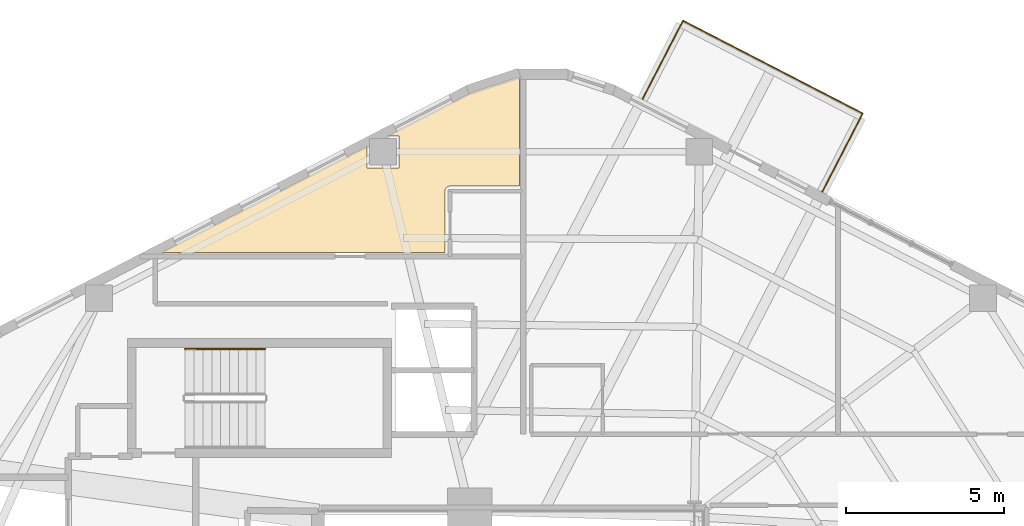
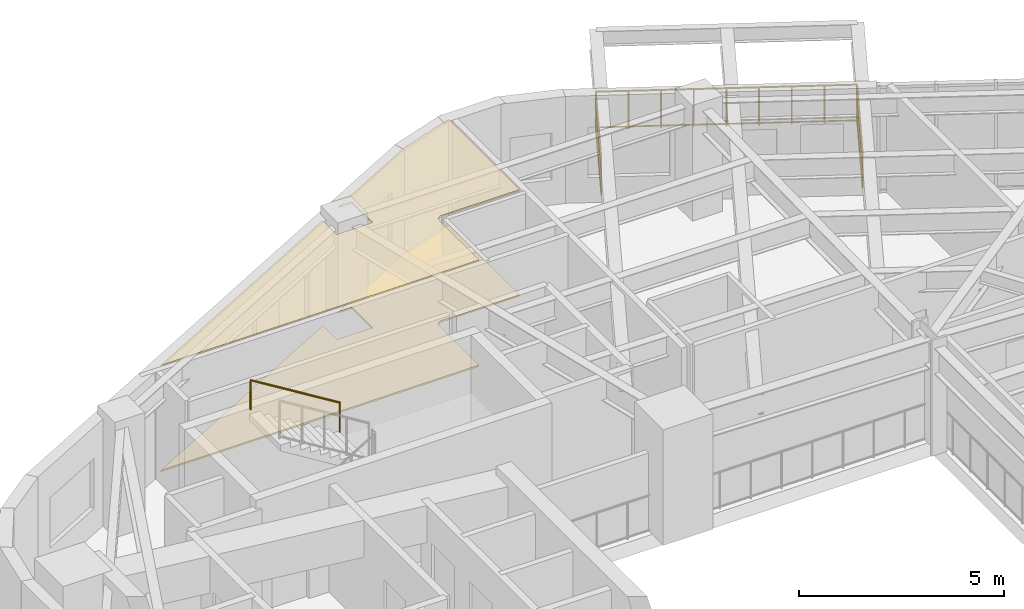
# One storey, part 12 of 12: 2 coverings, 2 railings.
"""IFC4 building model written with IfcOpenShell, lengths in metres."""

import ifcopenshell
import ifcopenshell.guid

model = None  # the IFC model being written
_history = None  # IfcOwnerHistory: only IFC2X3 demands one
_inside = {}  # id of a spatial element -> (the spatial element, [elements in it])
_under = {}  # id of a project, library or spatial element -> (it, [spatial elements below it])
_declared = {}  # id of a project -> (the project, [libraries it declares])
_typed = {}  # id of a type object -> (the type object, [elements of that type])
_made_of = {}  # id of a material, layer set ... -> (it, [elements and type objects made of it])


def new_model(schema):
    """Start an empty IFC model of exactly this schema.

    Asked for "IFC4X3", IfcOpenShell would pick the latest addendum, in which some entities
    have other attributes; the version numbers below select the first issue.
    IFC2X3 requires an IfcOwnerHistory on every rooted entity: one is made here for all.
    """
    global model, _history
    if schema == "IFC4X3":
        model = ifcopenshell.file(schema_version=(4, 3, 0, 0))
    else:
        model = ifcopenshell.file(schema=schema)
    _inside.clear()
    _under.clear()
    _declared.clear()
    _typed.clear()
    _made_of.clear()
    _history = None
    if model.schema == "IFC2X3":
        org = make("IfcOrganization", Name="unknown")
        user = make(
            "IfcPersonAndOrganization",
            ThePerson=make("IfcPerson", FamilyName="unknown"),
            TheOrganization=org,
        )
        app = make(
            "IfcApplication",
            ApplicationDeveloper=org,
            Version="unknown",
            ApplicationFullName="unknown",
            ApplicationIdentifier="unknown",
        )
        _history = make(
            "IfcOwnerHistory",
            OwningUser=user,
            OwningApplication=app,
            ChangeAction="ADDED",
            CreationDate=0,
        )
    return model


def make(cls, **values):
    """One entity of the class cls with the attributes given. An attribute that is None is left unset."""
    return model.create_entity(
        cls, **{name: value for name, value in values.items() if value is not None}
    )


def rooted(cls, **values):
    """An entity with a GlobalId (a new one), such as an element, a storey or a relation."""
    return make(cls, GlobalId=ifcopenshell.guid.new(), OwnerHistory=_history, **values)


def si_unit(unit_type, name, prefix=None):
    """IfcSIUnit, for example si_unit("LENGTHUNIT", "METRE", prefix="MILLI")."""
    return make("IfcSIUnit", UnitType=unit_type, Prefix=prefix, Name=name)


def assignment(units):
    """IfcUnitAssignment: the units of a project."""
    return None if units is None else make("IfcUnitAssignment", Units=units)


def point(xyz):
    """IfcCartesianPoint."""
    return None if xyz is None else make("IfcCartesianPoint", Coordinates=xyz)


def direction(xyz):
    """IfcDirection."""
    return None if xyz is None else make("IfcDirection", DirectionRatios=xyz)


def frame(location, z_axis=None, x_axis=None):
    """IfcAxis2Placement3D, a coordinate frame: its origin and axes. An axis left out is left unset."""
    return make(
        "IfcAxis2Placement3D",
        Location=point(location),
        Axis=direction(z_axis),
        RefDirection=direction(x_axis),
    )


def frame_2d(location, x_axis=None):
    """IfcAxis2Placement2D, a coordinate frame in the plane: its origin and x axis."""
    return make(
        "IfcAxis2Placement2D", Location=point(location), RefDirection=direction(x_axis)
    )


def origin():
    """The frame at (0, 0, 0) with its axes left unset."""
    return frame((0.0, 0.0, 0.0))


def origin_2d():
    """The frame at (0, 0) in the plane with its x axis left unset."""
    return frame_2d((0.0, 0.0))


def place(relative_to, where):
    """IfcLocalPlacement: puts the frame where relative to a parent placement (None: the world)."""
    return make(
        "IfcLocalPlacement", PlacementRelTo=relative_to, RelativePlacement=where
    )


def context(
    kind, dimensions, precision=None, world=None, true_north=None, identifier=None
):
    """IfcGeometricRepresentationContext, for example the 3D "Model" context."""
    return make(
        "IfcGeometricRepresentationContext",
        ContextIdentifier=identifier,
        ContextType=kind,
        CoordinateSpaceDimension=dimensions,
        Precision=precision,
        WorldCoordinateSystem=world,
        TrueNorth=true_north,
    )


def subcontext(parent, identifier, kind, view, scale=None):
    """IfcGeometricRepresentationSubContext, for example "Body" below "Model"."""
    return make(
        "IfcGeometricRepresentationSubContext",
        ContextIdentifier=identifier,
        ContextType=kind,
        ParentContext=parent,
        TargetScale=scale,
        TargetView=view,
    )


def project(units=None, contexts=None):
    """IfcProject with its units and contexts."""
    return rooted(
        "IfcProject",
        Name="project",
        RepresentationContexts=contexts,
        UnitsInContext=assignment(units),
    )


def spatial(cls, under=None, at=None, **own):
    """A site, building, storey or space (cls), placed at a placement, below another one or the project."""
    s = rooted(cls, ObjectPlacement=at, **own)
    if under is not None:
        _under.setdefault(under.id(), (under, []))[1].append(s)
    return s


def polyline(points):
    """IfcPolyline through the points."""
    return make("IfcPolyline", Points=[point(p) for p in points])


def profile(cls, at=None, kind="AREA", **sizes):
    """A parametric profile (cls). Its sizes go by their IFC names, for example OverallWidth=200.0."""
    return make(cls, ProfileType=kind, Position=at, **sizes)


def circle(**sizes):
    """IfcCircleProfileDef."""
    return profile("IfcCircleProfileDef", **sizes)


def outline(outer, holes=None, kind="AREA"):
    """IfcArbitraryClosedProfileDef: a profile drawn as a closed curve; with holes, ...WithVoids."""
    if holes is None:
        return make("IfcArbitraryClosedProfileDef", ProfileType=kind, OuterCurve=outer)
    return make(
        "IfcArbitraryProfileDefWithVoids",
        ProfileType=kind,
        OuterCurve=outer,
        InnerCurves=holes,
    )


def extrude(swept, where, along, depth):
    """IfcExtrudedAreaSolid: the profile swept, set in the frame where, extruded along a direction by depth."""
    return make(
        "IfcExtrudedAreaSolid",
        SweptArea=swept,
        Position=where,
        ExtrudedDirection=direction(along),
        Depth=depth,
    )


def shape(context_of_items, identifier, shape_type, items):
    """IfcShapeRepresentation: the items that make up one representation, for example the "Body"."""
    return make(
        "IfcShapeRepresentation",
        ContextOfItems=context_of_items,
        RepresentationIdentifier=identifier,
        RepresentationType=shape_type,
        Items=items,
    )


def material(Name=None, Category=None):
    """IfcMaterial."""
    return make("IfcMaterial", Name=Name, Category=Category)


def layer(
    of_material, thickness, ventilated=None, Name=None, Category=None, Priority=None
):
    """IfcMaterialLayer: one layer of a wall or slab, of a material (None: an air gap)."""
    return make(
        "IfcMaterialLayer",
        Material=of_material,
        LayerThickness=thickness,
        IsVentilated=ventilated,
        Name=Name,
        Category=Category,
        Priority=Priority,
    )


def layer_set(layers, Name=None):
    """IfcMaterialLayerSet."""
    return make("IfcMaterialLayerSet", MaterialLayers=layers, LayerSetName=Name)


def made_of(thing, what):
    """Note that an element or type object is made of a material, layer set ...; save() writes the relation."""
    if what is not None:
        _made_of.setdefault(what.id(), (what, []))[1].append(thing)
    return thing


def type_object(cls, material=None, **own):
    """A type object (cls), such as IfcWallType, which elements share."""
    return made_of(rooted(cls, **own), material)


def element(
    cls,
    number,
    at=None,
    inside=None,
    cuts=None,
    type_object=None,
    material=None,
    context=None,
    identifier="Body",
    shape_type=None,
    held_by="IfcProductDefinitionShape",
    body=None,
    shapes=None,
    **own,
):
    """One element of the class cls, such as IfcWall. Its Tag is "e" and its number.

    at: its placement. inside: the storey or other place that contains it. cuts: it is an
    opening in that element (IfcRelVoidsElement). A single representation is given by context,
    identifier, shape_type and body (its items); several are given by shapes. held_by: the class
    of the entity that holds the representations. save() writes the other relations.
    """
    e = rooted(cls, Tag="e%d" % number, ObjectPlacement=at, **own)
    if body is not None:
        shapes = [shape(context, identifier, shape_type, body)]
    if shapes is not None:
        e.Representation = make(held_by, Representations=shapes)
    if inside is not None:
        _inside.setdefault(inside.id(), (inside, []))[1].append(e)
    if cuts is not None:
        rooted(
            "IfcRelVoidsElement", RelatingBuildingElement=cuts, RelatedOpeningElement=e
        )
    if type_object is not None:
        _typed.setdefault(type_object.id(), (type_object, []))[1].append(e)
    return made_of(e, material)


def aggregate(whole, parts):
    """IfcRelAggregates: a whole, such as a stair, and the parts it consists of."""
    return rooted("IfcRelAggregates", RelatingObject=whole, RelatedObjects=parts)


def save(model, path):
    """Write the relations noted so far, then the file.

    IfcRelAggregates (storeys below a building ...), IfcRelContainedInSpatialStructure (elements
    in a storey), IfcRelDefinesByType, IfcRelAssociatesMaterial and IfcRelDeclares: one each for
    every whole, place, type object, material and project.
    """
    for whole, parts in _under.values():
        aggregate(whole, parts)
    for where, things in _inside.values():
        rooted(
            "IfcRelContainedInSpatialStructure",
            RelatedElements=things,
            RelatingStructure=where,
        )
    for kind, things in _typed.values():
        rooted("IfcRelDefinesByType", RelatedObjects=things, RelatingType=kind)
    for what, things in _made_of.values():
        rooted("IfcRelAssociatesMaterial", RelatedObjects=things, RelatingMaterial=what)
    for by, libraries in _declared.values():
        rooted("IfcRelDeclares", RelatingContext=by, RelatedDefinitions=libraries)
    model.write(path)


model = new_model("IFC4")

# Units and contexts
model_context = context("Model", 3, precision=1e-05, world=origin(), true_north=direction((0.0, 1.0)))
body_context = subcontext(model_context, "Body", "Model", "MODEL_VIEW")
ifc_project = project(units=[si_unit("LENGTHUNIT", "METRE"), si_unit("AREAUNIT", "SQUARE_METRE"), si_unit("VOLUMEUNIT", "CUBIC_METRE"), si_unit("PLANEANGLEUNIT", "RADIAN"), si_unit("MASSUNIT", "GRAM", prefix="KILO"), si_unit("THERMODYNAMICTEMPERATUREUNIT", "KELVIN"), si_unit("POWERUNIT", "WATT")], contexts=[model_context])

# Site, building, storey
site_placement = place(None, origin())
site = spatial("IfcSite", under=ifc_project, at=site_placement, CompositionType="ELEMENT")
building_placement = place(site_placement, origin())
building = spatial("IfcBuilding", under=site, at=building_placement, Name="Skarre Station Tower", CompositionType="ELEMENT")
storey_placement = place(building_placement, frame((0.0, 0.0, 163.64990234375)))
storey = spatial("IfcBuildingStorey", under=building, at=storey_placement, Name="L44", CompositionType="ELEMENT", Elevation=163.64990234375)

# Covering
ifc_material_1 = material(Name="Honed Jura Limestone & Calcium-Sulfate Access Tile", Category="masonry")
ifc_layer_1 = layer(ifc_material_1, 0.050048828125, Name="Honed Jura Limestone & Calcium-Sulfate Access Tile")
ifc_layer_set_1 = layer_set([ifc_layer_1], Name="Honed Jura Limestone & Calcium-Sulfate Access Tile")
covering_type_1 = type_object("IfcCoveringType", Name="Honed Limestone & Raised Access Floor Finish 50", PredefinedType="FLOORING", material=ifc_layer_set_1)
covering_1_placement = place(storey_placement, origin())
element("IfcCovering", 1, at=covering_1_placement, inside=storey, type_object=covering_type_1, Name="L44 Limestone Access Flooring 1", PredefinedType="FLOORING", context=body_context, shape_type="SweptSolid", body=[
    extrude(outline(polyline([(33.919921875, 39.800048828125), (33.919921875, 43.24609375), (33.845947265625, 43.24609375), (32.39208984375, 42.76806640625), (29.72705078125, 41.39306640625), (30.10302734375, 41.39306640625), (30.10302734375, 40.383056640625), (29.093017578125, 40.383056640625), (29.093017578125, 41.06591796875), (22.571044921875, 37.699951171875), (31.56005859375, 37.699951171875), (31.56005859375, 39.639892578125), (31.56005859375, 39.64404296875), (31.56005859375, 39.652099609375), (31.56103515625, 39.659912109375), (31.56201171875, 39.6669921875), (31.56396484375, 39.675048828125), (31.56591796875, 39.68310546875), (31.568115234375, 39.68994140625), (31.571044921875, 39.697998046875), (31.573974609375, 39.705078125), (31.576904296875, 39.7119140625), (31.5810546875, 39.718994140625), (31.5849609375, 39.72607421875), (31.589111328125, 39.73193359375), (31.593994140625, 39.738037109375), (31.59912109375, 39.743896484375), (31.60400390625, 39.75), (31.610107421875, 39.756103515625), (31.615966796875, 39.760986328125), (31.6220703125, 39.76611328125), (31.6279296875, 39.77099609375), (31.634033203125, 39.77490234375), (31.64111328125, 39.779052734375), (31.64794921875, 39.782958984375), (31.655029296875, 39.785888671875), (31.662109375, 39.7890625), (31.669921875, 39.7919921875), (31.677001953125, 39.7939453125), (31.68505859375, 39.7958984375), (31.693115234375, 39.798095703125), (31.699951171875, 39.799072265625), (31.7080078125, 39.800048828125), (31.716064453125, 39.800048828125), (31.719970703125, 39.800048828125), (33.919921875, 39.800048828125)])), origin(), (0.0, 0.0, 1.0), 0.050048828125),
])

# Railing
ifc_material_2 = material(Name="Stainless Steel Grade 316L & Laminated Safety Glass", Category="steel")
railing_type_1 = type_object("IfcRailingType", Name="Laminated Glass & Stainless Terrace Guardrail 1150", PredefinedType="BALUSTRADE", material=ifc_material_2)
railing_1_placement = place(storey_placement, frame((37.81103515625, 42.554931640625, 0.0)))
element("IfcRailing", 2, at=railing_1_placement, inside=storey, type_object=railing_type_1, Name="L44 SG-2 Conservatory Terrace Guardrail", PredefinedType="BALUSTRADE", context=body_context, shape_type="SweptSolid", body=[
    extrude(circle(Radius=0.02392578125, at=origin_2d()), frame((0.0, 0.0, 1.1259765625), z_axis=(0.458520300299, 0.888683933811, 0.0), x_axis=(-0.888683933811, 0.458520300299, 0.0)), (0.0, 0.0, 1.0), 2.78955078125),
    extrude(circle(Radius=0.02099609375, at=origin_2d()), frame((0.0, 0.0, 0.06005859375), z_axis=(0.458520300299, 0.888683933811, 0.0), x_axis=(-0.888683933811, 0.458520300299, 0.0)), (0.0, 0.0, 1.0), 2.78955078125),
    extrude(circle(Radius=0.02392578125, at=origin_2d()), frame((1.279052734375, 2.47900390625, 1.1259765625), z_axis=(0.888635212, -0.458614718467, 0.0), x_axis=(0.458614718467, 0.888635212, 0.0)), (0.0, 0.0, 1.0), 6.39501953125),
    extrude(circle(Radius=0.02099609375, at=origin_2d()), frame((1.279052734375, 2.47900390625, 0.06005859375), z_axis=(0.888635212, -0.458614718467, 0.0), x_axis=(0.458614718467, 0.888635212, 0.0)), (0.0, 0.0, 1.0), 6.39501953125),
    extrude(circle(Radius=0.02392578125, at=origin_2d()), frame((6.9619140625, -0.453857421875, 1.1259765625), z_axis=(-0.458796714428, -0.888541262312, 0.0), x_axis=(0.888541262312, -0.458796714428, 0.0)), (0.0, 0.0, 1.0), 2.7900390625),
    extrude(circle(Radius=0.02099609375, at=origin_2d()), frame((6.9619140625, -0.453857421875, 0.06005859375), z_axis=(-0.458796714428, -0.888541262312, 0.0), x_axis=(0.888541262312, -0.458796714428, 0.0)), (0.0, 0.0, 1.0), 2.7900390625),
    extrude(circle(Radius=0.02099609375, at=origin_2d()), origin(), (0.0, 0.0, 1.0), 1.101806640625),
    extrude(circle(Radius=0.02099609375, at=origin_2d()), frame((0.31982421875, 0.61962890625, 0.0)), (0.0, 0.0, 1.0), 1.101806640625),
    extrude(circle(Radius=0.02099609375, at=origin_2d()), frame((0.6396484375, 1.239501953125, 0.0)), (0.0, 0.0, 1.0), 1.101806640625),
    extrude(circle(Radius=0.02099609375, at=origin_2d()), frame((0.959228515625, 1.859375, 0.0)), (0.0, 0.0, 1.0), 1.101806640625),
    extrude(circle(Radius=0.02099609375, at=origin_2d()), frame((1.279052734375, 2.47900390625, 0.0)), (0.0, 0.0, 1.0), 1.101806640625),
    extrude(circle(Radius=0.02099609375, at=origin_2d()), frame((1.989501953125, 2.1123046875, 0.0)), (0.0, 0.0, 1.0), 1.101806640625),
    extrude(circle(Radius=0.02099609375, at=origin_2d()), frame((2.69970703125, 1.745849609375, 0.0)), (0.0, 0.0, 1.0), 1.101806640625),
    extrude(circle(Radius=0.02099609375, at=origin_2d()), frame((3.41015625, 1.379150390625, 0.0)), (0.0, 0.0, 1.0), 1.101806640625),
    extrude(circle(Radius=0.02099609375, at=origin_2d()), frame((4.12060546875, 1.0126953125, 0.0)), (0.0, 0.0, 1.0), 1.101806640625),
    extrude(circle(Radius=0.02099609375, at=origin_2d()), frame((4.830810546875, 0.64599609375, 0.0)), (0.0, 0.0, 1.0), 1.101806640625),
    extrude(circle(Radius=0.02099609375, at=origin_2d()), frame((5.541259765625, 0.279296875, 0.0)), (0.0, 0.0, 1.0), 1.101806640625),
    extrude(circle(Radius=0.02099609375, at=origin_2d()), frame((6.25146484375, -0.087158203125, 0.0)), (0.0, 0.0, 1.0), 1.101806640625),
    extrude(circle(Radius=0.02099609375, at=origin_2d()), frame((6.9619140625, -0.453857421875, 0.0)), (0.0, 0.0, 1.0), 1.101806640625),
    extrude(circle(Radius=0.02099609375, at=origin_2d()), frame((6.641845703125, -1.07373046875, 0.0)), (0.0, 0.0, 1.0), 1.101806640625),
    extrude(circle(Radius=0.02099609375, at=origin_2d()), frame((6.32177734375, -1.693359375, 0.0)), (0.0, 0.0, 1.0), 1.101806640625),
    extrude(circle(Radius=0.02099609375, at=origin_2d()), frame((6.001953125, -2.31298828125, 0.0)), (0.0, 0.0, 1.0), 1.101806640625),
    extrude(circle(Radius=0.02099609375, at=origin_2d()), frame((5.681884765625, -2.932861328125, 0.0)), (0.0, 0.0, 1.0), 1.101806640625),
])

# Covering
ifc_material_3 = material(Name="Perforated Nordic Birch Veneer & Mineral Wool", Category="wood")
ifc_layer_2 = layer(ifc_material_3, 0.044921875, Name="Perforated Nordic Birch Veneer & Mineral Wool")
ifc_layer_set_2 = layer_set([ifc_layer_2], Name="Perforated Nordic Birch Veneer & Mineral Wool")
covering_type_2 = type_object("IfcCoveringType", Name="Nordic Birch Slatted Acoustic Suspended Ceiling 45", PredefinedType="CEILING", material=ifc_layer_set_2)
covering_2_placement = place(storey_placement, frame((0.0, 0.0, 3.14501953125)))
element("IfcCovering", 3, at=covering_2_placement, inside=storey, type_object=covering_type_2, Name="L44 Acoustic Birch Ceiling 1", PredefinedType="CEILING", context=body_context, shape_type="SweptSolid", body=[
    extrude(outline(polyline([(33.919921875, 39.800048828125), (33.919921875, 43.24609375), (33.845947265625, 43.24609375), (32.39208984375, 42.76806640625), (29.72705078125, 41.39306640625), (30.10302734375, 41.39306640625), (30.10302734375, 40.383056640625), (29.093017578125, 40.383056640625), (29.093017578125, 41.06591796875), (22.571044921875, 37.699951171875), (31.56005859375, 37.699951171875), (31.56005859375, 39.639892578125), (31.56005859375, 39.64404296875), (31.56005859375, 39.652099609375), (31.56103515625, 39.659912109375), (31.56201171875, 39.6669921875), (31.56396484375, 39.675048828125), (31.56591796875, 39.68310546875), (31.568115234375, 39.68994140625), (31.571044921875, 39.697998046875), (31.573974609375, 39.705078125), (31.576904296875, 39.7119140625), (31.5810546875, 39.718994140625), (31.5849609375, 39.72607421875), (31.589111328125, 39.73193359375), (31.593994140625, 39.738037109375), (31.59912109375, 39.743896484375), (31.60400390625, 39.75), (31.610107421875, 39.756103515625), (31.615966796875, 39.760986328125), (31.6220703125, 39.76611328125), (31.6279296875, 39.77099609375), (31.634033203125, 39.77490234375), (31.64111328125, 39.779052734375), (31.64794921875, 39.782958984375), (31.655029296875, 39.785888671875), (31.662109375, 39.7890625), (31.669921875, 39.7919921875), (31.677001953125, 39.7939453125), (31.68505859375, 39.7958984375), (31.693115234375, 39.798095703125), (31.699951171875, 39.799072265625), (31.7080078125, 39.800048828125), (31.716064453125, 39.800048828125), (31.719970703125, 39.800048828125), (33.919921875, 39.800048828125)])), origin(), (0.0, 0.0, 1.0), 0.045166015625),
])

# Railing
ifc_material_4 = material(Name="Powder-Coated Tubular Steel", Category="steel")
railing_type_2 = type_object("IfcRailingType", Name="Painted Steel Ramp & Stair Handrail 920", PredefinedType="HANDRAIL", material=ifc_material_4)
railing_2_placement = place(storey_placement, frame((25.8701171875, 34.64990234375, 1.897705078125)))
element("IfcRailing", 4, at=railing_2_placement, inside=storey, type_object=railing_type_2, Name="L44 ST-3 stair handrail 2", PredefinedType="HANDRAIL", context=body_context, shape_type="SweptSolid", body=[
    extrude(circle(Radius=0.02392578125, at=origin_2d()), frame((0.0, 0.0, 0.8759765625), z_axis=(-0.851400495292, 0.0, 0.524516154772), x_axis=(0.0, -1.0, 0.0)), (0.0, 0.0, 1.0), 2.9599609375),
    extrude(circle(Radius=0.02099609375, at=origin_2d()), origin(), (0.0, 0.0, 1.0), 0.851806640625),
    extrude(circle(Radius=0.02099609375, at=origin_2d()), frame((-2.52001953125, 0.0, 1.552490234375)), (0.0, 0.0, 1.0), 0.851806640625),
])

save(model, "model.ifc")
